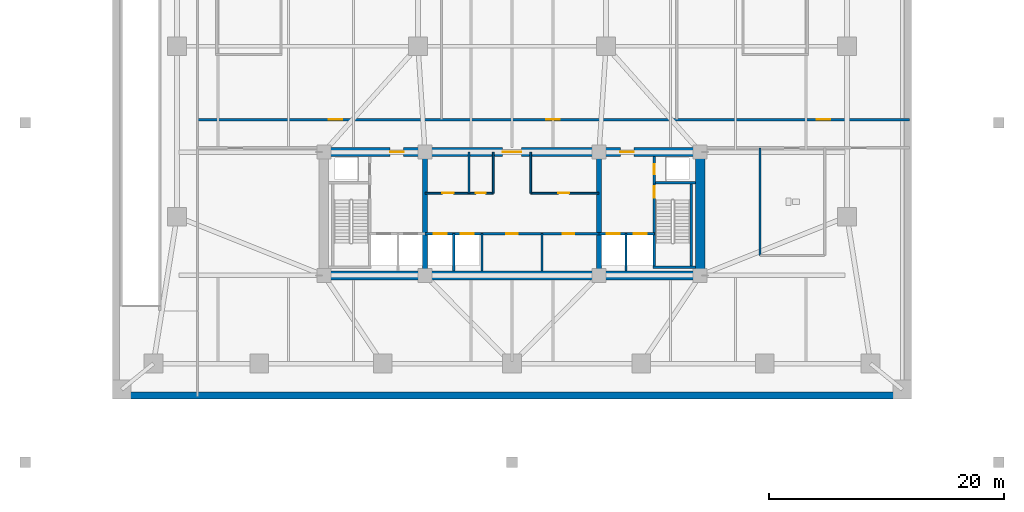
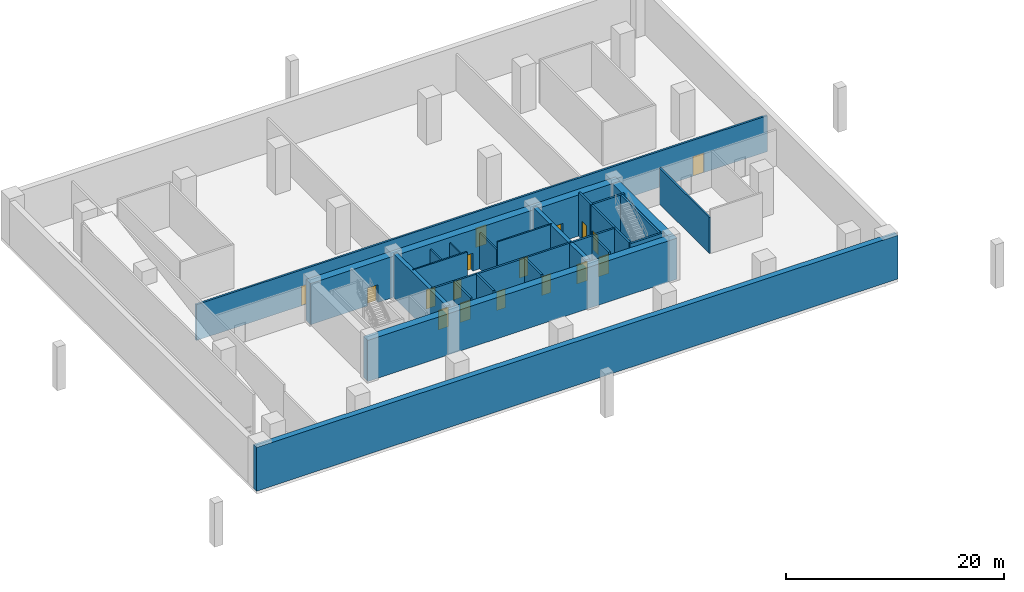
# One storey, part 5 of 9: 26 walls, 17 doors, 17 openings.
"""IFC4 building model written with IfcOpenShell, lengths in metres."""

from ifc_helpers import new_model, si_unit, direction, frame, frame_2d, origin, place, context, subcontext, project, spatial, rectangle, extrude, material, layer, layer_set, type_object, element, fill, save


model = new_model("IFC4")

# Units and contexts
model_context = context("Model", 3, precision=1e-05, world=origin(), true_north=direction((0.0, 1.0)))
body_context = subcontext(model_context, "Body", "Model", "MODEL_VIEW")
ifc_project = project(units=[si_unit("LENGTHUNIT", "METRE"), si_unit("AREAUNIT", "SQUARE_METRE"), si_unit("VOLUMEUNIT", "CUBIC_METRE"), si_unit("PLANEANGLEUNIT", "RADIAN"), si_unit("MASSUNIT", "GRAM", prefix="KILO")], contexts=[model_context])

# Site, building, storey
site_placement = place(None, origin())
site = spatial("IfcSite", under=ifc_project, at=site_placement, CompositionType="ELEMENT")
building_placement = place(site_placement, origin())
building = spatial("IfcBuilding", under=site, at=building_placement, Name="Solmavex Isthmus Hotel", CompositionType="ELEMENT")
storey_placement = place(building_placement, frame((0.0, 0.0, -5.199951171875)))
storey = spatial("IfcBuildingStorey", under=building, at=storey_placement, Name="B01", CompositionType="ELEMENT", Elevation=-5.199951171875)

# Wall, openings, doors
ifc_material_1 = material(Name="Gypsum plasterboard lining", Category="gypsum")
ifc_layer_1 = layer(ifc_material_1, 0.14990234375)
ifc_layer_set_1 = layer_set([ifc_layer_1], Name="Gypsum plasterboard lining")
wall_type_1 = type_object("IfcWallType", Name="IW-CORR-150", PredefinedType="PARTITIONING", material=ifc_layer_set_1)
wall_1_placement = place(storey_placement, frame((-7.39990234375, -6.0, 0.0), z_axis=(0.0, 0.0, 1.0), x_axis=(1.0, 0.0, 0.0)))
wall_1 = element("IfcWall", 1, at=wall_1_placement, inside=storey, type_object=wall_type_1, Name="Interior Partition Wall W-B01-BOH-WS", PredefinedType="PARTITIONING", context=body_context, shape_type="SweptSolid", body=[
    extrude(rectangle(XDim=5.7998046875, YDim=0.14990234375, at=frame_2d((2.89990234375, 0.0))), origin(), (0.0, 0.0, 1.0), 4.89990234375),
])
opening_1_placement = place(wall_1_placement, frame((1.47509765625, 0.0, 0.0)))
opening_1 = element("IfcOpeningElement", 2, at=opening_1_placement, cuts=wall_1, Name="Opening ID-C095", PredefinedType="OPENING", context=body_context, shape_type="SweptSolid", body=[
    extrude(rectangle(XDim=0.949951171875, YDim=2.14990234375, at=frame_2d((0.47509765625, 1.074951171875))), frame((0.0, 0.0849609375, 0.0), z_axis=(0.0, -1.0, 0.0), x_axis=(1.0, 0.0, 0.0)), (0.0, 0.0, 1.0), 0.169921875),
])
opening_2_placement = place(wall_1_placement, frame((4.324951171875, 0.0, 0.0)))
opening_2 = element("IfcOpeningElement", 3, at=opening_2_placement, cuts=wall_1, Name="Opening ID-R085", PredefinedType="OPENING", context=body_context, shape_type="SweptSolid", body=[
    extrude(rectangle(XDim=0.85009765625, YDim=2.050048828125, at=frame_2d((0.425048828125, 1.02490234375))), frame((0.0, 0.0849609375, 0.0), z_axis=(0.0, -1.0, 0.0), x_axis=(1.0, 0.0, 0.0)), (0.0, 0.0, 1.0), 0.169921875),
])
ifc_material_2 = material(Name="Steel ASTM A500 Grade C", Category="steel")
door_type_1 = type_object("IfcDoorType", Name="IDR-FD60-0850", OperationType="NOTDEFINED", PredefinedType="DOOR", material=ifc_material_2)
door_1_placement = place(opening_2_placement, frame((0.85009765625, 0.0, 0.0), z_axis=(0.0, 0.0, 1.0), x_axis=(-1.0, 0.0, 0.0)))
door_1 = element("IfcDoor", 4, at=door_1_placement, inside=storey, type_object=door_type_1, Name="Cleaner Closet Door B01", OperationType="SINGLE_SWING_RIGHT", OverallHeight=2.050048828125, OverallWidth=0.85009765625, PredefinedType="DOOR", context=body_context, shape_type="SweptSolid", body=[
    extrude(rectangle(XDim=0.85009765625, YDim=2.050048828125, at=frame_2d((0.425048828125, 1.02490234375))), frame((0.0, 0.02490234375, 0.0), z_axis=(0.0, -1.0, 0.0), x_axis=(1.0, 0.0, 0.0)), (0.0, 0.0, 1.0), 0.050048828125),
])
fill(opening_2, door_1)
ifc_material_3 = material(Name="Hardwood timber", Category="wood")
door_type_2 = type_object("IfcDoorType", Name="IDR-FD60-0950", OperationType="NOTDEFINED", PredefinedType="DOOR", material=ifc_material_3)
door_2_placement = place(opening_1_placement, frame((0.949951171875, 0.0, 0.0), z_axis=(0.0, 0.0, 1.0), x_axis=(-1.0, 0.0, 0.0)))
door_2 = element("IfcDoor", 5, at=door_2_placement, inside=storey, type_object=door_type_2, Name="Housekeeping Store Door B01", OperationType="SINGLE_SWING_LEFT", OverallHeight=2.14990234375, OverallWidth=0.949951171875, PredefinedType="DOOR", context=body_context, shape_type="SweptSolid", body=[
    extrude(rectangle(XDim=0.949951171875, YDim=2.14990234375, at=frame_2d((0.47509765625, 1.074951171875))), frame((0.0, 0.02490234375, 0.0), z_axis=(0.0, -1.0, 0.0), x_axis=(1.0, 0.0, 0.0)), (0.0, 0.0, 1.0), 0.050048828125),
])
fill(opening_1, door_2)

# Wall
wall_2_placement = place(storey_placement, frame((-1.60009765625, -6.0, 0.0), z_axis=(0.0, 0.0, 1.0), x_axis=(0.0, 1.0, 0.0)))
element("IfcWall", 6, at=wall_2_placement, inside=storey, type_object=wall_type_1, Name="Interior Partition Wall W-B01-BOH-WE", PredefinedType="PARTITIONING", context=body_context, shape_type="SweptSolid", body=[
    extrude(rectangle(XDim=3.5, YDim=0.14990234375, at=frame_2d((1.75, 0.0))), origin(), (0.0, 0.0, 1.0), 4.029541015625),
])

# Wall, opening, door
wall_3_placement = place(storey_placement, frame((1.60009765625, -6.0, 0.0), z_axis=(0.0, 0.0, 1.0), x_axis=(1.0, 0.0, 0.0)))
wall_3 = element("IfcWall", 7, at=wall_3_placement, inside=storey, type_object=wall_type_1, Name="Interior Partition Wall W-B01-BOH-ES", PredefinedType="PARTITIONING", context=body_context, shape_type="SweptSolid", body=[
    extrude(rectangle(XDim=5.7998046875, YDim=0.14990234375, at=frame_2d((2.89990234375, 0.0))), origin(), (0.0, 0.0, 1.0), 4.89990234375),
])
opening_3_placement = place(wall_3_placement, frame((2.324951171875, 0.0, 0.0)))
opening_3 = element("IfcOpeningElement", 8, at=opening_3_placement, cuts=wall_3, Name="Opening ID-C095", PredefinedType="OPENING", context=body_context, shape_type="SweptSolid", body=[
    extrude(rectangle(XDim=0.949951171875, YDim=2.14990234375, at=frame_2d((0.47509765625, 1.074951171875))), frame((0.0, 0.0849609375, 0.0), z_axis=(0.0, -1.0, 0.0), x_axis=(1.0, 0.0, 0.0)), (0.0, 0.0, 1.0), 0.169921875),
])
door_3_placement = place(opening_3_placement, frame((0.949951171875, 0.0, 0.0), z_axis=(0.0, 0.0, 1.0), x_axis=(-1.0, 0.0, 0.0)))
door_3 = element("IfcDoor", 9, at=door_3_placement, inside=storey, type_object=door_type_2, Name="Butler Pantry Door B01", OperationType="SINGLE_SWING_RIGHT", OverallHeight=2.14990234375, OverallWidth=0.949951171875, PredefinedType="DOOR", context=body_context, shape_type="SweptSolid", body=[
    extrude(rectangle(XDim=0.949951171875, YDim=2.14990234375, at=frame_2d((0.47509765625, 1.074951171875))), frame((0.0, 0.02490234375, 0.0), z_axis=(0.0, -1.0, 0.0), x_axis=(1.0, 0.0, 0.0)), (0.0, 0.0, 1.0), 0.050048828125),
])
fill(opening_3, door_3)

# Walls
wall_4_placement = place(storey_placement, frame((1.60009765625, -6.0, 0.0), z_axis=(0.0, 0.0, 1.0), x_axis=(0.0, 1.0, 0.0)))
element("IfcWall", 10, at=wall_4_placement, inside=storey, type_object=wall_type_1, Name="Interior Partition Wall W-B01-BOH-EW", PredefinedType="PARTITIONING", context=body_context, shape_type="SweptSolid", body=[
    extrude(rectangle(XDim=3.5, YDim=0.14990234375, at=frame_2d((1.75, 0.0))), origin(), (0.0, 0.0, 1.0), 4.029541015625),
])
ifc_layer_2 = layer(ifc_material_1, 0.1201171875)
ifc_layer_set_2 = layer_set([ifc_layer_2], Name="Gypsum plasterboard lining")
wall_type_2 = type_object("IfcWallType", Name="IW-PART-120", PredefinedType="PARTITIONING", material=ifc_layer_set_2)
wall_5_placement = place(storey_placement, frame((-3.64990234375, -6.0, 0.0), z_axis=(0.0, 0.0, 1.0), x_axis=(0.0, 1.0, 0.0)))
element("IfcWall", 11, at=wall_5_placement, inside=storey, type_object=wall_type_2, Name="Interior Partition Wall W-B01-BOH-WM1", PredefinedType="PARTITIONING", context=body_context, shape_type="SweptSolid", body=[
    extrude(rectangle(XDim=3.5, YDim=0.14990234375, at=frame_2d((1.75, 0.0))), origin(), (0.0, 0.0, 1.0), 4.029541015625),
])
ifc_material_4 = material(Name="Concrete C40/50", Category="concrete")
ifc_layer_3 = layer(ifc_material_4, 0.179931640625)
ifc_layer_set_3 = layer_set([ifc_layer_3], Name="Concrete C40/50")
wall_type_3 = type_object("IfcWallType", Name="IW-SHAFT-180", PredefinedType="PARTITIONING", material=ifc_layer_set_3)
wall_6_placement = place(storey_placement, frame((-4.949951171875, -12.60009765625, 0.0), z_axis=(0.0, 0.0, 1.0), x_axis=(0.0, 1.0, 0.0)))
element("IfcWall", 12, at=wall_6_placement, inside=storey, type_object=wall_type_3, Name="Interior Partition Wall W-B01-SH-PLL-M", PredefinedType="PARTITIONING", context=body_context, shape_type="SweptSolid", body=[
    extrude(rectangle(XDim=3.150146484375, YDim=0.179931640625, at=frame_2d((1.5751953125, 0.0))), origin(), (0.0, 0.0, 1.0), 4.89990234375),
])

# Wall, opening, door
wall_7_placement = place(storey_placement, frame((2.550048828125, -9.449951171875, 0.0), z_axis=(0.0, 0.0, 1.0), x_axis=(1.0, 0.0, 0.0)))
wall_7 = element("IfcWall", 13, at=wall_7_placement, inside=storey, type_object=wall_type_3, Name="Interior Partition Wall W-B01-TOP-PLH", PredefinedType="PARTITIONING", context=body_context, shape_type="SweptSolid", body=[
    extrude(rectangle(XDim=4.849853515625, YDim=0.179931640625, at=frame_2d((2.4248046875, 0.0))), origin(), (0.0, 0.0, 1.0), 4.89990234375),
])
opening_4_placement = place(wall_7_placement, frame((1.77490234375, 0.0, 0.0)))
opening_4 = element("IfcOpeningElement", 14, at=opening_4_placement, cuts=wall_7, Name="Opening ID-C095", PredefinedType="OPENING", context=body_context, shape_type="SweptSolid", body=[
    extrude(rectangle(XDim=0.949951171875, YDim=2.14990234375, at=frame_2d((0.47509765625, 1.074951171875))), frame((0.0, 0.099853515625, 0.0), z_axis=(0.0, -1.0, 0.0), x_axis=(1.0, 0.0, 0.0)), (0.0, 0.0, 1.0), 0.199951171875),
])
door_4_placement = place(opening_4_placement, origin())
door_4 = element("IfcDoor", 15, at=door_4_placement, inside=storey, type_object=door_type_2, Name="Control Room Door B01", OperationType="SINGLE_SWING_LEFT", OverallHeight=2.14990234375, OverallWidth=0.949951171875, PredefinedType="DOOR", context=body_context, shape_type="SweptSolid", body=[
    extrude(rectangle(XDim=0.949951171875, YDim=2.14990234375, at=frame_2d((0.47509765625, 1.074951171875))), frame((0.0, 0.02490234375, 0.0), z_axis=(0.0, -1.0, 0.0), x_axis=(1.0, 0.0, 0.0)), (0.0, 0.0, 1.0), 0.050048828125),
])
fill(opening_4, door_4)

# Wall
wall_8_placement = place(storey_placement, frame((21.10009765625, -11.300048828125, 0.0), z_axis=(0.0, 0.0, 1.0), x_axis=(0.0, 1.0, 0.0)))
element("IfcWall", 16, at=wall_8_placement, inside=storey, type_object=wall_type_3, Name="Interior Partition Wall W-B01-WCW", PredefinedType="PARTITIONING", context=body_context, shape_type="SweptSolid", body=[
    extrude(rectangle(XDim=9.150146484375, YDim=0.179931640625, at=frame_2d((4.5751953125, 0.0))), origin(), (0.0, 0.0, 1.0), 4.029541015625),
])

# Wall, opening, door
ifc_layer_4 = layer(ifc_material_4, 0.199951171875)
ifc_layer_set_4 = layer_set([ifc_layer_4], Name="Concrete C40/50")
wall_type_4 = type_object("IfcWallType", Name="IW-SHAFT-200", PredefinedType="PARTITIONING", material=ifc_layer_set_4)
wall_9_placement = place(storey_placement, frame((12.10009765625, -5.199951171875, 0.0), z_axis=(0.0, 0.0, 1.0), x_axis=(0.0, 1.0, 0.0)))
wall_9 = element("IfcWall", 17, at=wall_9_placement, inside=storey, type_object=wall_type_4, Name="Interior Partition Wall W-B01-RSE-W", PredefinedType="PARTITIONING", context=body_context, shape_type="SweptSolid", body=[
    extrude(rectangle(XDim=2.300048828125, YDim=0.199951171875, at=frame_2d((1.14990234375, 0.0))), origin(), (0.0, 0.0, 1.0), 4.89990234375),
])
opening_5_placement = place(wall_9_placement, frame((0.824951171875, 0.0, 0.0)))
opening_5 = element("IfcOpeningElement", 18, at=opening_5_placement, cuts=wall_9, Name="Opening ID-R085", PredefinedType="OPENING", context=body_context, shape_type="SweptSolid", body=[
    extrude(rectangle(XDim=0.85009765625, YDim=2.050048828125, at=frame_2d((0.425048828125, 1.02490234375))), frame((0.0, 0.10986328125, 0.0), z_axis=(0.0, -1.0, 0.0), x_axis=(1.0, 0.0, 0.0)), (0.0, 0.0, 1.0), 0.219970703125),
])
door_5_placement = place(opening_5_placement, frame((0.85009765625, 0.0, 0.0), z_axis=(0.0, 0.0, 1.0), x_axis=(-1.0, 0.0, 0.0)))
door_5 = element("IfcDoor", 19, at=door_5_placement, inside=storey, type_object=door_type_1, Name="Mechanical Riser Door B01", OperationType="SINGLE_SWING_LEFT", OverallHeight=2.050048828125, OverallWidth=0.85009765625, PredefinedType="DOOR", context=body_context, shape_type="SweptSolid", body=[
    extrude(rectangle(XDim=0.85009765625, YDim=2.050048828125, at=frame_2d((0.425048828125, 1.02490234375))), frame((0.0, 0.02490234375, 0.0), z_axis=(0.0, -1.0, 0.0), x_axis=(1.0, 0.0, 0.0)), (0.0, 0.0, 1.0), 0.050048828125),
])
fill(opening_5, door_5)

# Wall, openings, doors
wall_10_placement = place(storey_placement, frame((7.39990234375, -9.449951171875, 0.0), z_axis=(0.0, 0.0, 1.0), x_axis=(1.0, 0.0, 0.0)))
wall_10 = element("IfcWall", 20, at=wall_10_placement, inside=storey, type_object=wall_type_4, Name="Interior Partition Wall W-B01-FFLE-S", PredefinedType="PARTITIONING", context=body_context, shape_type="SweptSolid", body=[
    extrude(rectangle(XDim=4.7001953125, YDim=0.199951171875, at=frame_2d((2.35009765625, 0.0))), origin(), (0.0, 0.0, 1.0), 4.89990234375),
])
opening_6_placement = place(wall_10_placement, frame((2.949951171875, 0.0, 0.0)))
opening_6 = element("IfcOpeningElement", 21, at=opening_6_placement, cuts=wall_10, Name="Opening LD-FF", PredefinedType="OPENING", context=body_context, shape_type="SweptSolid", body=[
    extrude(rectangle(XDim=1.10009765625, YDim=2.199951171875, at=frame_2d((0.550048828125, 1.10009765625))), frame((0.0, 0.10986328125, 0.0), z_axis=(0.0, -1.0, 0.0), x_axis=(1.0, 0.0, 0.0)), (0.0, 0.0, 1.0), 0.219970703125),
])
opening_7_placement = place(wall_10_placement, frame((0.64990234375, 0.0, 0.0)))
opening_7 = element("IfcOpeningElement", 22, at=opening_7_placement, cuts=wall_10, Name="Opening LD-SV", PredefinedType="OPENING", context=body_context, shape_type="SweptSolid", body=[
    extrude(rectangle(XDim=1.10009765625, YDim=2.199951171875, at=frame_2d((0.550048828125, 1.10009765625))), frame((0.0, 0.10986328125, 0.0), z_axis=(0.0, -1.0, 0.0), x_axis=(1.0, 0.0, 0.0)), (0.0, 0.0, 1.0), 0.219970703125),
])
ifc_material_5 = material(Name="Stainless steel 316", Category="steel")
door_type_3 = type_object("IfcDoorType", Name="LDR-FF-1100", OperationType="NOTDEFINED", PredefinedType="DOOR", material=ifc_material_5)
door_6_placement = place(opening_6_placement, origin())
door_6 = element("IfcDoor", 23, at=door_6_placement, inside=storey, type_object=door_type_3, Name="Lift Landing Door FFL-2 B01", OperationType="SLIDING_TO_LEFT", OverallHeight=2.199951171875, OverallWidth=1.10009765625, PredefinedType="DOOR", context=body_context, shape_type="SweptSolid", body=[
    extrude(rectangle(XDim=1.10009765625, YDim=2.199951171875, at=frame_2d((0.550048828125, 1.10009765625))), frame((0.0, 0.02490234375, 0.0), z_axis=(0.0, -1.0, 0.0), x_axis=(1.0, 0.0, 0.0)), (0.0, 0.0, 1.0), 0.050048828125),
])
fill(opening_6, door_6)
door_type_4 = type_object("IfcDoorType", Name="LDR-SV-1100", OperationType="NOTDEFINED", PredefinedType="DOOR", material=ifc_material_5)
door_7_placement = place(opening_7_placement, origin())
door_7 = element("IfcDoor", 24, at=door_7_placement, inside=storey, type_object=door_type_4, Name="Lift Landing Door SVL-2 B01", OperationType="SLIDING_TO_RIGHT", OverallHeight=2.199951171875, OverallWidth=1.10009765625, PredefinedType="DOOR", context=body_context, shape_type="SweptSolid", body=[
    extrude(rectangle(XDim=1.10009765625, YDim=2.199951171875, at=frame_2d((0.550048828125, 1.10009765625))), frame((0.0, 0.02490234375, 0.0), z_axis=(0.0, -1.0, 0.0), x_axis=(1.0, 0.0, 0.0)), (0.0, 0.0, 1.0), 0.050048828125),
])
fill(opening_7, door_7)

# Wall
wall_11_placement = place(storey_placement, frame((9.699951171875, -12.60009765625, 0.0), z_axis=(0.0, 0.0, 1.0), x_axis=(0.0, 1.0, 0.0)))
element("IfcWall", 25, at=wall_11_placement, inside=storey, type_object=wall_type_4, Name="Interior Partition Wall W-B01-FFLE-M", PredefinedType="PARTITIONING", context=body_context, shape_type="SweptSolid", body=[
    extrude(rectangle(XDim=3.150146484375, YDim=0.199951171875, at=frame_2d((1.5751953125, 0.0))), origin(), (0.0, 0.0, 1.0), 4.89990234375),
])

# Wall, openings, doors
wall_12_placement = place(storey_placement, frame((-7.39990234375, -9.449951171875, 0.0), z_axis=(0.0, 0.0, 1.0), x_axis=(1.0, 0.0, 0.0)))
wall_12 = element("IfcWall", 26, at=wall_12_placement, inside=storey, type_object=wall_type_4, Name="Interior Partition Wall W-B01-SH-PLL", PredefinedType="PARTITIONING", context=body_context, shape_type="SweptSolid", body=[
    extrude(rectangle(XDim=4.849853515625, YDim=0.199951171875, at=frame_2d((2.4248046875, 0.0))), origin(), (0.0, 0.0, 1.0), 4.89990234375),
])
opening_8_placement = place(wall_12_placement, frame((0.75, 0.0, 0.0)))
opening_8 = element("IfcOpeningElement", 27, at=opening_8_placement, cuts=wall_12, Name="Opening LD-PL", PredefinedType="OPENING", context=body_context, shape_type="SweptSolid", body=[
    extrude(rectangle(XDim=1.10009765625, YDim=2.199951171875, at=frame_2d((0.550048828125, 1.10009765625))), frame((0.0, 0.10986328125, 0.0), z_axis=(0.0, -1.0, 0.0), x_axis=(1.0, 0.0, 0.0)), (0.0, 0.0, 1.0), 0.219970703125),
])
opening_9_placement = place(wall_12_placement, frame((3.050048828125, 0.0, 0.0)))
opening_9 = element("IfcOpeningElement", 28, at=opening_9_placement, cuts=wall_12, Name="Opening LD-PL", PredefinedType="OPENING", context=body_context, shape_type="SweptSolid", body=[
    extrude(rectangle(XDim=1.10009765625, YDim=2.199951171875, at=frame_2d((0.550048828125, 1.10009765625))), frame((0.0, 0.10986328125, 0.0), z_axis=(0.0, -1.0, 0.0), x_axis=(1.0, 0.0, 0.0)), (0.0, 0.0, 1.0), 0.219970703125),
])
door_type_5 = type_object("IfcDoorType", Name="LDR-PL-1100", OperationType="NOTDEFINED", PredefinedType="DOOR", material=ifc_material_5)
door_8_placement = place(opening_8_placement, origin())
door_8 = element("IfcDoor", 29, at=door_8_placement, inside=storey, type_object=door_type_5, Name="Lift Landing Door PLL1 B01", OperationType="SLIDING_TO_LEFT", OverallHeight=2.199951171875, OverallWidth=1.10009765625, PredefinedType="DOOR", context=body_context, shape_type="SweptSolid", body=[
    extrude(rectangle(XDim=1.10009765625, YDim=2.199951171875, at=frame_2d((0.550048828125, 1.10009765625))), frame((0.0, 0.02490234375, 0.0), z_axis=(0.0, -1.0, 0.0), x_axis=(1.0, 0.0, 0.0)), (0.0, 0.0, 1.0), 0.050048828125),
])
fill(opening_8, door_8)
door_9_placement = place(opening_9_placement, origin())
door_9 = element("IfcDoor", 30, at=door_9_placement, inside=storey, type_object=door_type_5, Name="Lift Landing Door PLL2 B01", OperationType="SLIDING_TO_LEFT", OverallHeight=2.199951171875, OverallWidth=1.10009765625, PredefinedType="DOOR", context=body_context, shape_type="SweptSolid", body=[
    extrude(rectangle(XDim=1.10009765625, YDim=2.199951171875, at=frame_2d((0.550048828125, 1.10009765625))), frame((0.0, 0.02490234375, 0.0), z_axis=(0.0, -1.0, 0.0), x_axis=(1.0, 0.0, 0.0)), (0.0, 0.0, 1.0), 0.050048828125),
])
fill(opening_9, door_9)

# Wall
wall_13_placement = place(storey_placement, frame((-2.550048828125, -12.60009765625, 0.0), z_axis=(0.0, 0.0, 1.0), x_axis=(0.0, 1.0, 0.0)))
element("IfcWall", 31, at=wall_13_placement, inside=storey, type_object=wall_type_4, Name="Interior Partition Wall W-B01-SH-PLL-E", PredefinedType="PARTITIONING", context=body_context, shape_type="SweptSolid", body=[
    extrude(rectangle(XDim=3.150146484375, YDim=0.199951171875, at=frame_2d((1.5751953125, 0.0))), origin(), (0.0, 0.0, 1.0), 4.89990234375),
])

# Wall, opening, door
wall_14_placement = place(storey_placement, frame((-2.550048828125, -9.449951171875, 0.0), z_axis=(0.0, 0.0, 1.0), x_axis=(1.0, 0.0, 0.0)))
wall_14 = element("IfcWall", 32, at=wall_14_placement, inside=storey, type_object=wall_type_4, Name="Interior Partition Wall W-B01-PIT-PLM", PredefinedType="PARTITIONING", context=body_context, shape_type="SweptSolid", body=[
    extrude(rectangle(XDim=5.10009765625, YDim=0.199951171875, at=frame_2d((2.550048828125, 0.0))), origin(), (0.0, 0.0, 1.0), 4.89990234375),
])
opening_10_placement = place(wall_14_placement, frame((2.074951171875, 0.0, 0.0)))
opening_10 = element("IfcOpeningElement", 33, at=opening_10_placement, cuts=wall_14, Name="Opening ID-C095", PredefinedType="OPENING", context=body_context, shape_type="SweptSolid", body=[
    extrude(rectangle(XDim=0.949951171875, YDim=2.14990234375, at=frame_2d((0.47509765625, 1.074951171875))), frame((0.0, 0.10986328125, 0.0), z_axis=(0.0, -1.0, 0.0), x_axis=(1.0, 0.0, 0.0)), (0.0, 0.0, 1.0), 0.219970703125),
])
door_10_placement = place(opening_10_placement, origin())
door_10 = element("IfcDoor", 34, at=door_10_placement, inside=storey, type_object=door_type_2, Name="Core Store Door B01", OperationType="SINGLE_SWING_LEFT", OverallHeight=2.14990234375, OverallWidth=0.949951171875, PredefinedType="DOOR", context=body_context, shape_type="SweptSolid", body=[
    extrude(rectangle(XDim=0.949951171875, YDim=2.14990234375, at=frame_2d((0.47509765625, 1.074951171875))), frame((0.0, 0.02490234375, 0.0), z_axis=(0.0, -1.0, 0.0), x_axis=(1.0, 0.0, 0.0)), (0.0, 0.0, 1.0), 0.050048828125),
])
fill(opening_10, door_10)

# Wall
wall_15_placement = place(storey_placement, frame((2.550048828125, -12.60009765625, 0.0), z_axis=(0.0, 0.0, 1.0), x_axis=(0.0, 1.0, 0.0)))
element("IfcWall", 35, at=wall_15_placement, inside=storey, type_object=wall_type_4, Name="Interior Partition Wall W-B01-PIT-PLME", PredefinedType="PARTITIONING", context=body_context, shape_type="SweptSolid", body=[
    extrude(rectangle(XDim=3.150146484375, YDim=0.199951171875, at=frame_2d((1.5751953125, 0.0))), origin(), (0.0, 0.0, 1.0), 4.89990234375),
])

# Wall, openings, doors
wall_16_placement = place(storey_placement, frame((-26.75, 0.25, 0.0), z_axis=(0.0, 0.0, 1.0), x_axis=(1.0, 0.0, 0.0)))
wall_16 = element("IfcWall", 36, at=wall_16_placement, inside=storey, type_object=wall_type_4, Name="Interior Partition Wall W-B01-N", PredefinedType="PARTITIONING", context=body_context, shape_type="SweptSolid", body=[
    extrude(rectangle(XDim=60.550048828125, YDim=0.199951171875, at=frame_2d((30.27490234375, 0.0))), origin(), (0.0, 0.0, 1.0), 4.029541015625),
])
opening_11_placement = place(wall_16_placement, frame((11.175048828125, 0.0, 0.0)))
opening_11 = element("IfcOpeningElement", 37, at=opening_11_placement, cuts=wall_16, Name="Opening ID-C115", PredefinedType="OPENING", context=body_context, shape_type="SweptSolid", body=[
    extrude(rectangle(XDim=1.14990234375, YDim=2.199951171875, at=frame_2d((0.574951171875, 1.10009765625))), frame((0.0, 0.10986328125, 0.0), z_axis=(0.0, -1.0, 0.0), x_axis=(1.0, 0.0, 0.0)), (0.0, 0.0, 1.0), 0.219970703125),
])
opening_12_placement = place(wall_16_placement, frame((29.675048828125, 0.0, 0.0)))
opening_12 = element("IfcOpeningElement", 38, at=opening_12_placement, cuts=wall_16, Name="Opening ID-C115", PredefinedType="OPENING", context=body_context, shape_type="SweptSolid", body=[
    extrude(rectangle(XDim=1.14990234375, YDim=2.199951171875, at=frame_2d((0.574951171875, 1.10009765625))), frame((0.0, 0.10986328125, 0.0), z_axis=(0.0, -1.0, 0.0), x_axis=(1.0, 0.0, 0.0)), (0.0, 0.0, 1.0), 0.219970703125),
])
opening_13_placement = place(wall_16_placement, frame((52.675048828125, 0.0, 0.0)))
opening_13 = element("IfcOpeningElement", 39, at=opening_13_placement, cuts=wall_16, Name="Opening ID-C115", PredefinedType="OPENING", context=body_context, shape_type="SweptSolid", body=[
    extrude(rectangle(XDim=1.14990234375, YDim=2.199951171875, at=frame_2d((0.574951171875, 1.10009765625))), frame((0.0, 0.10986328125, 0.0), z_axis=(0.0, -1.0, 0.0), x_axis=(1.0, 0.0, 0.0)), (0.0, 0.0, 1.0), 0.219970703125),
])
door_type_6 = type_object("IfcDoorType", Name="IDR-FD60-1150", OperationType="NOTDEFINED", PredefinedType="DOOR", material=ifc_material_3)
door_11_placement = place(opening_11_placement, origin())
door_11 = element("IfcDoor", 40, at=door_11_placement, inside=storey, type_object=door_type_6, Name="Basement Service Door D-B01-LD", OperationType="SINGLE_SWING_LEFT", OverallHeight=2.199951171875, OverallWidth=1.14990234375, PredefinedType="DOOR", context=body_context, shape_type="SweptSolid", body=[
    extrude(rectangle(XDim=1.14990234375, YDim=2.199951171875, at=frame_2d((0.574951171875, 1.10009765625))), frame((0.0, 0.02490234375, 0.0), z_axis=(0.0, -1.0, 0.0), x_axis=(1.0, 0.0, 0.0)), (0.0, 0.0, 1.0), 0.050048828125),
])
fill(opening_11, door_11)
door_12_placement = place(opening_12_placement, origin())
door_12 = element("IfcDoor", 41, at=door_12_placement, inside=storey, type_object=door_type_6, Name="Basement Service Door D-B01-LN", OperationType="SINGLE_SWING_LEFT", OverallHeight=2.199951171875, OverallWidth=1.14990234375, PredefinedType="DOOR", context=body_context, shape_type="SweptSolid", body=[
    extrude(rectangle(XDim=1.14990234375, YDim=2.199951171875, at=frame_2d((0.574951171875, 1.10009765625))), frame((0.0, 0.02490234375, 0.0), z_axis=(0.0, -1.0, 0.0), x_axis=(1.0, 0.0, 0.0)), (0.0, 0.0, 1.0), 0.050048828125),
])
fill(opening_12, door_12)
door_13_placement = place(opening_13_placement, origin())
door_13 = element("IfcDoor", 42, at=door_13_placement, inside=storey, type_object=door_type_6, Name="Basement Service Door D-B01-ST", OperationType="SINGLE_SWING_LEFT", OverallHeight=2.199951171875, OverallWidth=1.14990234375, PredefinedType="DOOR", context=body_context, shape_type="SweptSolid", body=[
    extrude(rectangle(XDim=1.14990234375, YDim=2.199951171875, at=frame_2d((0.574951171875, 1.10009765625))), frame((0.0, 0.02490234375, 0.0), z_axis=(0.0, -1.0, 0.0), x_axis=(1.0, 0.0, 0.0)), (0.0, 0.0, 1.0), 0.050048828125),
])
fill(opening_13, door_13)

# Walls
ifc_material_6 = material(Name="Concrete C70/85", Category="concrete")
ifc_layer_5 = layer(ifc_material_6, 0.39990234375)
ifc_layer_set_5 = layer_set([ifc_layer_5], Name="Concrete C70/85")
wall_type_5 = type_object("IfcWallType", Name="WALL-CW-400L", PredefinedType="SHEAR", material=ifc_layer_set_5)
for number, where, z_axis, x_axis, name in (
    (43, (-7.39990234375, -12.60009765625, 0.0), (0.0, 0.0, 1.0), (0.0, 1.0, 0.0), "Core Cross Shear Wall C1 B01"),
    (44, (7.39990234375, -12.60009765625, 0.0), (0.0, 0.0, 1.0), (0.0, 1.0, 0.0), "Core Cross Shear Wall C2 B01"),
):
    element("IfcWall", number, at=place(storey_placement, frame(where, z_axis=z_axis, x_axis=x_axis)), inside=storey, type_object=wall_type_5, Name=name, PredefinedType="SHEAR", context=body_context, shape_type="SweptSolid", body=[
        extrude(rectangle(XDim=9.7001953125, YDim=0.39990234375, at=frame_2d((4.85009765625, 0.0))), origin(), (0.0, 0.0, 1.0), 4.89990234375),
    ])
ifc_layer_6 = layer(ifc_material_6, 0.800048828125)
ifc_layer_set_6 = layer_set([ifc_layer_6], Name="Concrete C70/85")
wall_type_6 = type_object("IfcWallType", Name="WALL-CW-800", PredefinedType="SHEAR", material=ifc_layer_set_6)
wall_17_placement = place(storey_placement, frame((-16.39990234375, -13.0, 0.0), z_axis=(0.0, 0.0, 1.0), x_axis=(1.0, 0.0, 0.0)))
element("IfcWall", 45, at=wall_17_placement, inside=storey, type_object=wall_type_6, Name="Core Shear Wall South B01", PredefinedType="SHEAR", context=body_context, shape_type="SweptSolid", body=[
    extrude(rectangle(XDim=32.7998046875, YDim=0.800048828125, at=frame_2d((16.39990234375, 0.0))), origin(), (0.0, 0.0, 1.0), 4.619873046875),
])

# Wall, openings, doors
wall_18_placement = place(storey_placement, frame((-16.39990234375, -2.5, 0.0), z_axis=(0.0, 0.0, 1.0), x_axis=(1.0, 0.0, 0.0)))
wall_18 = element("IfcWall", 46, at=wall_18_placement, inside=storey, type_object=wall_type_6, Name="Core Shear Wall North B01", PredefinedType="SHEAR", context=body_context, shape_type="SweptSolid", body=[
    extrude(rectangle(XDim=32.7998046875, YDim=0.800048828125, at=frame_2d((16.39990234375, 0.0))), origin(), (0.0, 0.0, 1.0), 4.619873046875),
])
opening_14_placement = place(wall_18_placement, frame((6.02490234375, 0.0, 0.0)))
opening_14 = element("IfcOpeningElement", 47, at=opening_14_placement, cuts=wall_18, Name="Opening ID-F915", PredefinedType="OPENING", context=body_context, shape_type="SweptSolid", body=[
    extrude(rectangle(XDim=1.14990234375, YDim=2.0, at=frame_2d((0.574951171875, 1.0))), frame((0.0, 0.409912109375, 0.0), z_axis=(0.0, -1.0, 0.0), x_axis=(1.0, 0.0, 0.0)), (0.0, 0.0, 1.0), 0.820068359375),
])
opening_15_placement = place(wall_18_placement, frame((15.60009765625, 0.0, 0.0)))
opening_15 = element("IfcOpeningElement", 48, at=opening_15_placement, cuts=wall_18, Name="Opening ID-F960", PredefinedType="OPENING", context=body_context, shape_type="SweptSolid", body=[
    extrude(rectangle(XDim=1.60009765625, YDim=2.0, at=frame_2d((0.800048828125, 1.0))), frame((0.0, 0.409912109375, 0.0), z_axis=(0.0, -1.0, 0.0), x_axis=(1.0, 0.0, 0.0)), (0.0, 0.0, 1.0), 0.820068359375),
])
opening_16_placement = place(wall_18_placement, frame((25.625, 0.0, 0.0)))
opening_16 = element("IfcOpeningElement", 49, at=opening_16_placement, cuts=wall_18, Name="Opening ID-F915", PredefinedType="OPENING", context=body_context, shape_type="SweptSolid", body=[
    extrude(rectangle(XDim=1.14990234375, YDim=2.0, at=frame_2d((0.574951171875, 1.0))), frame((0.0, 0.409912109375, 0.0), z_axis=(0.0, -1.0, 0.0), x_axis=(1.0, 0.0, 0.0)), (0.0, 0.0, 1.0), 0.820068359375),
])
door_type_7 = type_object("IfcDoorType", Name="IDR-FD90-1150C", OperationType="NOTDEFINED", PredefinedType="DOOR", material=ifc_material_2)
door_14_placement = place(opening_14_placement, origin())
door_14 = element("IfcDoor", 50, at=door_14_placement, inside=storey, type_object=door_type_7, Name="Firefighting Lobby West Exit Door B01", OperationType="SINGLE_SWING_LEFT", OverallHeight=2.0, OverallWidth=1.14990234375, PredefinedType="DOOR", context=body_context, shape_type="SweptSolid", body=[
    extrude(rectangle(XDim=1.14990234375, YDim=2.0, at=frame_2d((0.574951171875, 1.0))), frame((0.0, 0.02490234375, 0.0), z_axis=(0.0, -1.0, 0.0), x_axis=(1.0, 0.0, 0.0)), (0.0, 0.0, 1.0), 0.050048828125),
])
fill(opening_14, door_14)
door_15_placement = place(opening_16_placement, origin())
door_15 = element("IfcDoor", 51, at=door_15_placement, inside=storey, type_object=door_type_7, Name="Firefighting Lobby East Exit Door B01", OperationType="SINGLE_SWING_RIGHT", OverallHeight=2.0, OverallWidth=1.14990234375, PredefinedType="DOOR", context=body_context, shape_type="SweptSolid", body=[
    extrude(rectangle(XDim=1.14990234375, YDim=2.0, at=frame_2d((0.574951171875, 1.0))), frame((0.0, 0.02490234375, 0.0), z_axis=(0.0, -1.0, 0.0), x_axis=(1.0, 0.0, 0.0)), (0.0, 0.0, 1.0), 0.050048828125),
])
fill(opening_16, door_15)
door_type_8 = type_object("IfcDoorType", Name="IDR-FD90-1600C", OperationType="NOTDEFINED", PredefinedType="DOOR", material=ifc_material_2)
door_16_placement = place(opening_15_placement, origin())
door_16 = element("IfcDoor", 52, at=door_16_placement, inside=storey, type_object=door_type_8, Name="Central Lift Lobby Door B01", OperationType="DOUBLE_DOOR_SINGLE_SWING", OverallHeight=2.0, OverallWidth=1.60009765625, PredefinedType="DOOR", context=body_context, shape_type="SweptSolid", body=[
    extrude(rectangle(XDim=1.60009765625, YDim=2.0, at=frame_2d((0.800048828125, 1.0))), frame((0.0, 0.02490234375, 0.0), z_axis=(0.0, -1.0, 0.0), x_axis=(1.0, 0.0, 0.0)), (0.0, 0.0, 1.0), 0.050048828125),
])
fill(opening_15, door_16)

# Walls
wall_19_placement = place(storey_placement, frame((16.0, -12.60009765625, 0.0), z_axis=(0.0, 0.0, 1.0), x_axis=(0.0, 1.0, 0.0)))
element("IfcWall", 53, at=wall_19_placement, inside=storey, type_object=wall_type_6, Name="Core Shear Wall East B01", PredefinedType="SHEAR", context=body_context, shape_type="SweptSolid", body=[
    extrude(rectangle(XDim=9.7001953125, YDim=0.800048828125, at=frame_2d((4.85009765625, 0.0))), origin(), (0.0, 0.0, 1.0), 4.619873046875),
])
ifc_material_7 = material(Name="Concrete C50/60", Category="concrete")
ifc_layer_7 = layer(ifc_material_7, 0.60009765625)
ifc_layer_set_7 = layer_set([ifc_layer_7], Name="Concrete C50/60")
wall_type_7 = type_object("IfcWallType", Name="WALL-RET-600", PredefinedType="SOLIDWALL", material=ifc_layer_set_7)
wall_20_placement = place(storey_placement, frame((-34.0, -23.199951171875, 0.0), z_axis=(0.0, 0.0, 1.0), x_axis=(1.0, 0.0, 0.0)))
element("IfcWall", 54, at=wall_20_placement, inside=storey, type_object=wall_type_7, Name="Basement Retaining Wall South B01", PredefinedType="SOLIDWALL", context=body_context, shape_type="SweptSolid", body=[
    extrude(rectangle(XDim=68.0, YDim=0.60009765625, at=frame_2d((34.0, 0.0))), origin(), (0.0, 0.0, 1.0), 4.89990234375),
])
ifc_layer_8 = layer(ifc_material_4, 0.199951171875)
ifc_layer_set_8 = layer_set([ifc_layer_8], Name="Concrete C40/50")
wall_type_8 = type_object("IfcWallType", Name="WALL-SW-200", PredefinedType="SOLIDWALL", material=ifc_layer_set_8)
for number, where, z_axis, x_axis, name in (
    (55, (12.0, -12.300048828125, 0.0), (0.0, 0.0, 1.0), (1.0, 0.0, 0.0), "Stairwell Structural Wall SW-B01-ST2-S"),
    (56, (12.0, -5.10009765625, 0.0), (0.0, 0.0, 1.0), (1.0, 0.0, 0.0), "Stairwell Structural Wall SW-B01-ST2-N"),
):
    element("IfcWall", number, at=place(storey_placement, frame(where, z_axis=z_axis, x_axis=x_axis)), inside=storey, type_object=wall_type_8, Name=name, PredefinedType="SOLIDWALL", context=body_context, shape_type="SweptSolid", body=[
        extrude(rectangle(XDim=3.60009765625, YDim=0.199951171875, at=frame_2d((1.800048828125, 0.0))), origin(), (0.0, 0.0, 1.0), 4.89990234375),
    ])

# Wall, opening, door
wall_21_placement = place(storey_placement, frame((12.10009765625, -12.199951171875, 0.0), z_axis=(0.0, 0.0, 1.0), x_axis=(0.0, 1.0, 0.0)))
wall_21 = element("IfcWall", 57, at=wall_21_placement, inside=storey, type_object=wall_type_8, Name="Stairwell Structural Wall SW-B01-ST2-W", PredefinedType="SOLIDWALL", context=body_context, shape_type="SweptSolid", body=[
    extrude(rectangle(XDim=7.0, YDim=0.199951171875, at=frame_2d((3.5, 0.0))), origin(), (0.0, 0.0, 1.0), 4.89990234375),
])
opening_17_placement = place(wall_21_placement, frame((5.800048828125, 0.0, 0.0)))
opening_17 = element("IfcOpeningElement", 58, at=opening_17_placement, cuts=wall_21, Name="Opening ID-F100", PredefinedType="OPENING", context=body_context, shape_type="SweptSolid", body=[
    extrude(rectangle(XDim=1.0, YDim=2.10009765625, at=frame_2d((0.5, 1.050048828125))), frame((0.0, 0.10986328125, 0.0), z_axis=(0.0, -1.0, 0.0), x_axis=(1.0, 0.0, 0.0)), (0.0, 0.0, 1.0), 0.219970703125),
])
door_type_9 = type_object("IfcDoorType", Name="IDR-FD90-1000", OperationType="NOTDEFINED", PredefinedType="DOOR", material=ifc_material_2)
door_17_placement = place(opening_17_placement, origin())
door_17 = element("IfcDoor", 59, at=door_17_placement, inside=storey, type_object=door_type_9, Name="Stair ST-2 Fire Door B01", OperationType="SINGLE_SWING_RIGHT", OverallHeight=2.10009765625, OverallWidth=1.0, PredefinedType="DOOR", context=body_context, shape_type="SweptSolid", body=[
    extrude(rectangle(XDim=1.0, YDim=2.10009765625, at=frame_2d((0.5, 1.050048828125))), frame((0.0, 0.02490234375, 0.0), z_axis=(0.0, -1.0, 0.0), x_axis=(1.0, 0.0, 0.0)), (0.0, 0.0, 1.0), 0.050048828125),
])
fill(opening_17, door_17)

# Wall
wall_22_placement = place(storey_placement, frame((15.25, -12.199951171875, 0.0), z_axis=(0.0, 0.0, 1.0), x_axis=(0.0, 1.0, 0.0)))
element("IfcWall", 60, at=wall_22_placement, inside=storey, type_object=wall_type_8, Name="Stairwell Structural Wall SW-B01-ST2-E", PredefinedType="SOLIDWALL", context=body_context, shape_type="SweptSolid", body=[
    extrude(rectangle(XDim=7.0, YDim=0.199951171875, at=frame_2d((3.5, 0.0))), origin(), (0.0, 0.0, 1.0), 4.89990234375),
])

save(model, "model.ifc")
